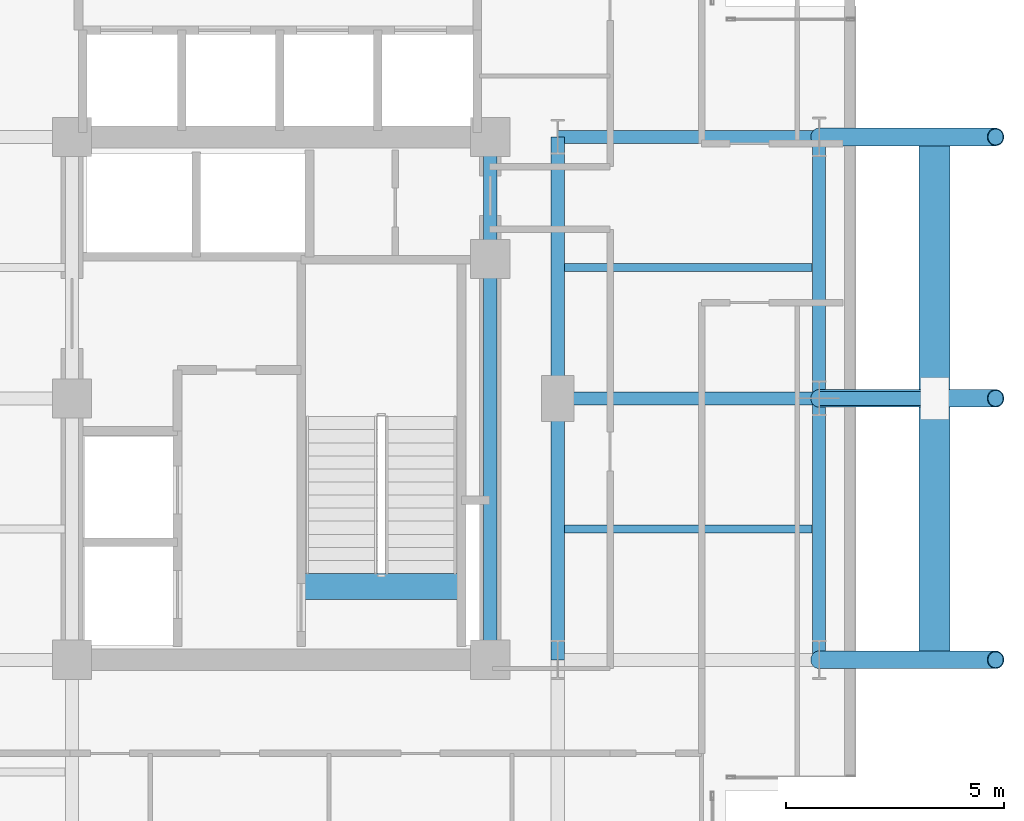
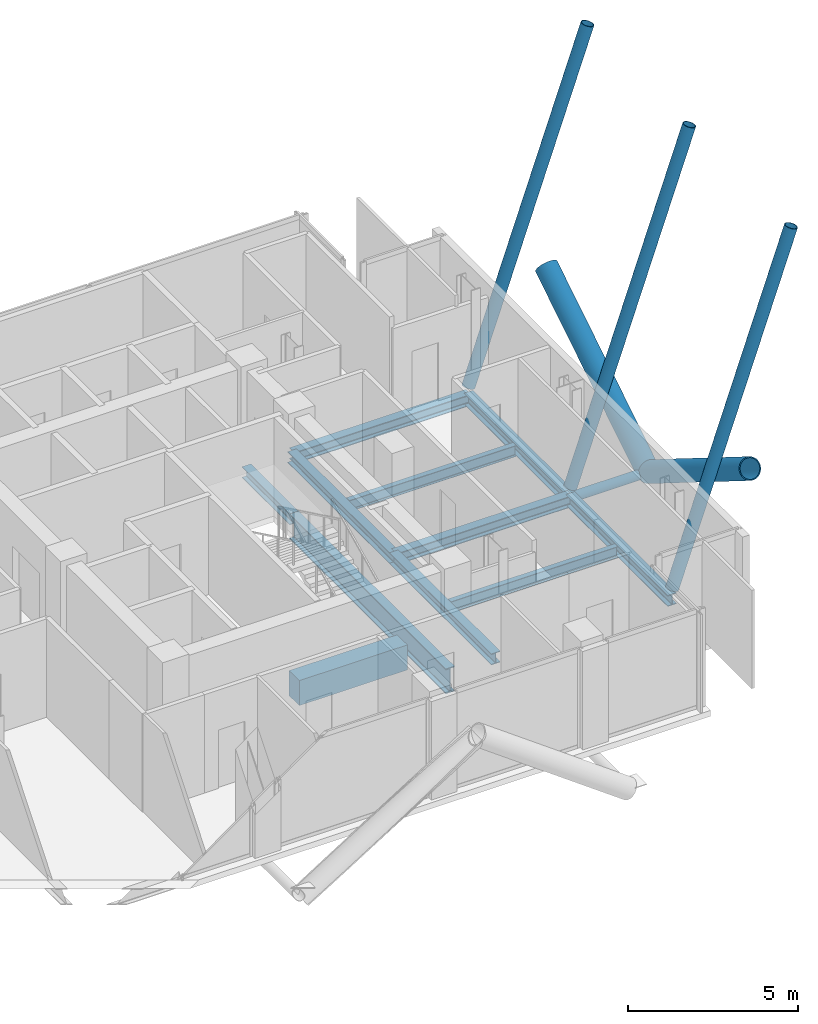
# One storey, part 11 of 22: 11 beams, 6 members.
"""IFC4 building model written with IfcOpenShell, lengths in metres."""

from ifc_helpers import new_model, si_unit, direction, frame, origin, origin_2d, place, context, subcontext, project, spatial, rectangle, hollow_circle, i_section, extrude, material, material_profile, profile_set, type_object, element, save


model = new_model("IFC4")

# Units and contexts
model_context = context("Model", 3, precision=1e-05, world=origin(), true_north=direction((0.0, 1.0)))
body_context = subcontext(model_context, "Body", "Model", "MODEL_VIEW")
ifc_project = project(units=[si_unit("LENGTHUNIT", "METRE"), si_unit("AREAUNIT", "SQUARE_METRE"), si_unit("VOLUMEUNIT", "CUBIC_METRE"), si_unit("PLANEANGLEUNIT", "RADIAN"), si_unit("MASSUNIT", "GRAM", prefix="KILO"), si_unit("THERMODYNAMICTEMPERATUREUNIT", "KELVIN"), si_unit("POWERUNIT", "WATT")], contexts=[model_context])

# Site, building, storey
site_placement = place(None, origin())
site = spatial("IfcSite", under=ifc_project, at=site_placement, CompositionType="ELEMENT")
building_placement = place(site_placement, origin())
building = spatial("IfcBuilding", under=site, at=building_placement, Name="Svarakhadi Broadcast Tower", CompositionType="ELEMENT")
storey_placement = place(building_placement, frame((0.0, 0.0, 191.699951171875)))
storey = spatial("IfcBuildingStorey", under=building, at=storey_placement, Name="L47", CompositionType="ELEMENT", Elevation=191.699951171875)

# Beams
ifc_material_1 = material(Name="Steel S355J2 (IS 2062 E350C)", Category="steel")
ifc_material_profile_1 = material_profile(ifc_material_1, i_section(OverallWidth=0.179931640625, OverallDepth=0.39990234375, WebThickness=0.008544921875, FlangeThickness=0.013427734375, FilletRadius=0.02099609375, at=origin_2d()), Name="NPB 400x180x66")
ifc_profile_set_1 = profile_set([ifc_material_profile_1], Name="Steel S355J2 (IS 2062 E350C)")
beam_type_1 = type_object("IfcBeamType", Name="Beam_NPB400", PredefinedType="BEAM", material=ifc_profile_set_1)
for number, where, z_axis, x_axis, name in (
    (1, (35.31005859375, 9.0, -0.409912109375), (1.0, 0.0, 0.0), (0.0, 1.0, 0.0), "L47 Secondary Composite Beam SB016"),
    (2, (35.31005859375, 15.0, -0.409912109375), (1.0, 0.0, 0.0), (0.0, 1.0, 0.0), "L47 Secondary Composite Beam SB017"),
):
    element("IfcBeam", number, at=place(storey_placement, frame(where, z_axis=z_axis, x_axis=x_axis)), inside=storey, type_object=beam_type_1, Name=name, PredefinedType="BEAM", context=body_context, shape_type="SweptSolid", body=[
        extrude(i_section(OverallWidth=0.179931640625, OverallDepth=0.39990234375, WebThickness=0.008544921875, FlangeThickness=0.013427734375, FilletRadius=0.02099609375, at=origin_2d()), origin(), (0.0, 0.0, 1.0), 5.679931640625),
    ])
ifc_material_2 = material(Name="Concrete C50/60 (IS 456 M60)", Category="concrete")
ifc_material_profile_2 = material_profile(ifc_material_2, rectangle(XDim=0.60009765625, YDim=0.89990234375, at=origin_2d()), Name="RC 600x900")
ifc_profile_set_2 = profile_set([ifc_material_profile_2], Name="Concrete C50/60 (IS 456 M60)")
beam_type_2 = type_object("IfcBeamType", Name="Coupling_RC600", PredefinedType="USERDEFINED", material=ifc_profile_set_2)
beam_1_placement = place(storey_placement, frame((29.260009765625, 7.679931640625, -0.449951171875), z_axis=(1.0, 0.0, 0.0), x_axis=(0.0, 1.0, 0.0)))
element("IfcBeam", 3, at=beam_1_placement, inside=storey, type_object=beam_type_2, Name="L47 Stair ST-02 Landing Throat Trimmer Beam CB-01", ObjectType="GIRDER", PredefinedType="USERDEFINED", context=body_context, shape_type="SweptSolid", body=[
    extrude(rectangle(XDim=0.60009765625, YDim=0.89990234375, at=origin_2d()), origin(), (0.0, 0.0, 1.0), 3.679931640625),
])

# Members
ifc_material_3 = material(Name="Steel S460ML (IS 2062 E450BR)", Category="steel")
ifc_material_profile_3 = material_profile(ifc_material_3, hollow_circle(Radius=0.35546875, WallThickness=0.034912109375, at=origin_2d()), Name="CHS 711x35")
ifc_profile_set_3 = profile_set([ifc_material_profile_3], Name="Steel S460ML (IS 2062 E450BR)")
member_type_1 = type_object("IfcMemberType", Name="Exo_Brace_CHS711", PredefinedType="BRACE", material=ifc_profile_set_3)
for number, where, z_axis, x_axis, name in (
    (4, (43.800048828125, 12.0, -0.371826171875), (0.0, -0.847998304005, 0.529998940003), (1.0, 0.0, 0.0), "L47 Exposed Bronze Exoskeleton Diagonal E04"),
    (5, (43.800048828125, 12.0, -0.371826171875), (0.0, 0.847998304005, 0.529998940003), (-1.0, 0.0, 0.0), "L47 Exposed Bronze Exoskeleton Diagonal E05"),
):
    element("IfcMember", number, at=place(storey_placement, frame(where, z_axis=z_axis, x_axis=x_axis)), inside=storey, type_object=member_type_1, Name=name, PredefinedType="BRACE", context=body_context, shape_type="SweptSolid", body=[
        extrude(hollow_circle(Radius=0.35546875, WallThickness=0.034912109375, at=origin_2d()), origin(), (0.0, 0.0, 1.0), 7.075439453125),
    ])
ifc_material_profile_4 = material_profile(ifc_material_3, hollow_circle(Radius=0.161865234375, WallThickness=0.01611328125, at=origin_2d()), Name="CHS 323.9x16")
ifc_profile_set_4 = profile_set([ifc_material_profile_4], Name="Steel S460ML (IS 2062 E450BR)")
member_type_2 = type_object("IfcMemberType", Name="Exo_Radial_Strut_Z2", PredefinedType="STRUT", material=ifc_profile_set_4)
member_placement = place(storey_placement, frame((43.800048828125, 12.0, -0.371826171875), z_axis=(-1.0, 0.0, 0.0), x_axis=(0.0, -1.0, 0.0)))
element("IfcMember", 6, at=member_placement, inside=storey, type_object=member_type_2, Name="L47 Exoskeleton Radial Tie Strut E04", PredefinedType="STRUT", context=body_context, shape_type="SweptSolid", body=[
    extrude(hollow_circle(Radius=0.161865234375, WallThickness=0.01611328125, at=origin_2d()), origin(), (0.0, 0.0, 1.0), 2.650146484375),
])

# Beams
ifc_material_profile_5 = material_profile(ifc_material_1, i_section(OverallWidth=0.300048828125, OverallDepth=0.39990234375, WebThickness=0.013427734375, FlangeThickness=0.02392578125, FilletRadius=0.027099609375, at=origin_2d()), Name="WPB 400x300x155")
ifc_profile_set_5 = profile_set([ifc_material_profile_5], Name="Steel S355J2 (IS 2062 E350C)")
beam_type_3 = type_object("IfcBeamType", Name="Girder_WPB400", PredefinedType="USERDEFINED", material=ifc_profile_set_5)
for number, where, z_axis, x_axis, name in (
    (7, (35.14990234375, 12.0, -0.409912109375), (1.0, 0.0, 0.0), (0.0, 1.0, 0.0), "L47 Primary E-W Girder G019"),
    (8, (35.14990234375, 18.0, -0.409912109375), (1.0, 0.0, 0.0), (0.0, 1.0, 0.0), "L47 Primary E-W Girder G025"),
):
    element("IfcBeam", number, at=place(storey_placement, frame(where, z_axis=z_axis, x_axis=x_axis)), inside=storey, type_object=beam_type_3, Name=name, ObjectType="GIRDER", PredefinedType="USERDEFINED", context=body_context, shape_type="SweptSolid", body=[
        extrude(i_section(OverallWidth=0.300048828125, OverallDepth=0.39990234375, WebThickness=0.013427734375, FlangeThickness=0.02392578125, FilletRadius=0.027099609375, at=origin_2d()), origin(), (0.0, 0.0, 1.0), 6.0),
    ])
beam_2_placement = place(storey_placement, frame((33.60009765625, 15.199951171875, -0.409912109375), z_axis=(0.0, 1.0, 0.0), x_axis=(-1.0, 0.0, 0.0)))
element("IfcBeam", 9, at=beam_2_placement, inside=storey, type_object=beam_type_3, Name="L47 Primary N-S Girder G055", ObjectType="GIRDER", PredefinedType="USERDEFINED", context=body_context, shape_type="SweptSolid", body=[
    extrude(i_section(OverallWidth=0.300048828125, OverallDepth=0.39990234375, WebThickness=0.013427734375, FlangeThickness=0.02392578125, FilletRadius=0.027099609375, at=origin_2d()), origin(), (0.0, 0.0, 1.0), 2.800048828125),
])
for number, where, z_axis, x_axis, name in (
    (10, (35.14990234375, 6.0, -0.409912109375), (0.0, 1.0, 0.0), (-1.0, 0.0, 0.0), "L47 Primary N-S Girder G057"),
    (11, (35.14990234375, 12.0, -0.409912109375), (0.0, 1.0, 0.0), (-1.0, 0.0, 0.0), "L47 Primary N-S Girder G058"),
    (12, (41.14990234375, 6.0, -0.409912109375), (0.0, 1.0, 0.0), (-1.0, 0.0, 0.0), "L47 Primary N-S Girder G059"),
    (13, (41.14990234375, 12.0, -0.409912109375), (0.0, 1.0, 0.0), (-1.0, 0.0, 0.0), "L47 Primary N-S Girder G060"),
):
    element("IfcBeam", number, at=place(storey_placement, frame(where, z_axis=z_axis, x_axis=x_axis)), inside=storey, type_object=beam_type_3, Name=name, ObjectType="GIRDER", PredefinedType="USERDEFINED", context=body_context, shape_type="SweptSolid", body=[
        extrude(i_section(OverallWidth=0.300048828125, OverallDepth=0.39990234375, WebThickness=0.013427734375, FlangeThickness=0.02392578125, FilletRadius=0.027099609375, at=origin_2d()), origin(), (0.0, 0.0, 1.0), 6.0),
    ])
ifc_material_profile_6 = material_profile(ifc_material_3, i_section(OverallWidth=0.300048828125, OverallDepth=0.89990234375, WebThickness=0.0185546875, FlangeThickness=0.034912109375, FilletRadius=0.030029296875, at=origin_2d()), Name="WPB 900x300x291")
ifc_profile_set_6 = profile_set([ifc_material_profile_6], Name="Steel S460ML (IS 2062 E450BR)")
beam_type_4 = type_object("IfcBeamType", Name="Girder_WPB900", PredefinedType="USERDEFINED", material=ifc_profile_set_6)
beam_3_placement = place(storey_placement, frame((33.60009765625, 6.0, -0.659912109375), z_axis=(0.0, 1.0, 0.0), x_axis=(-1.0, 0.0, 0.0)))
element("IfcBeam", 14, at=beam_3_placement, inside=storey, type_object=beam_type_4, Name="L47 Primary N-S Girder G054", ObjectType="GIRDER", PredefinedType="USERDEFINED", context=body_context, shape_type="SweptSolid", body=[
    extrude(i_section(OverallWidth=0.300048828125, OverallDepth=0.89990234375, WebThickness=0.0185546875, FlangeThickness=0.034912109375, FilletRadius=0.030029296875, at=origin_2d()), origin(), (0.0, 0.0, 1.0), 9.199951171875),
])

# Members
ifc_material_profile_7 = material_profile(ifc_material_3, hollow_circle(Radius=0.203125, WallThickness=0.02001953125, at=origin_2d()), Name="CHS 406.4x20")
ifc_profile_set_7 = profile_set([ifc_material_profile_7], Name="Steel S460ML (IS 2062 E450BR)")
member_type_3 = type_object("IfcMemberType", Name="Pool_Truss_Brace", PredefinedType="BRACE", material=ifc_profile_set_7)
for number, where, z_axis, x_axis, name in (
    (15, (41.14990234375, 6.0, 0.0), (0.328996723734, 0.0, 0.94433106259), (0.0, 1.0, 0.0), "L50 Sky Pool Inner Raker Strut PT-R1-1"),
    (16, (41.14990234375, 12.0, 0.0), (0.328996723734, 0.0, 0.94433106259), (0.0, 1.0, 0.0), "L50 Sky Pool Inner Raker Strut PT-R1-2"),
    (17, (41.14990234375, 18.0, 0.0), (0.328996723734, 0.0, 0.94433106259), (0.0, 1.0, 0.0), "L50 Sky Pool Inner Raker Strut PT-R1-3"),
):
    element("IfcMember", number, at=place(storey_placement, frame(where, z_axis=z_axis, x_axis=x_axis)), inside=storey, type_object=member_type_3, Name=name, PredefinedType="BRACE", context=body_context, shape_type="SweptSolid", body=[
        extrude(hollow_circle(Radius=0.203125, WallThickness=0.02001953125, at=origin_2d()), origin(), (0.0, 0.0, 1.0), 12.310302734375),
    ])

save(model, "model.ifc")
